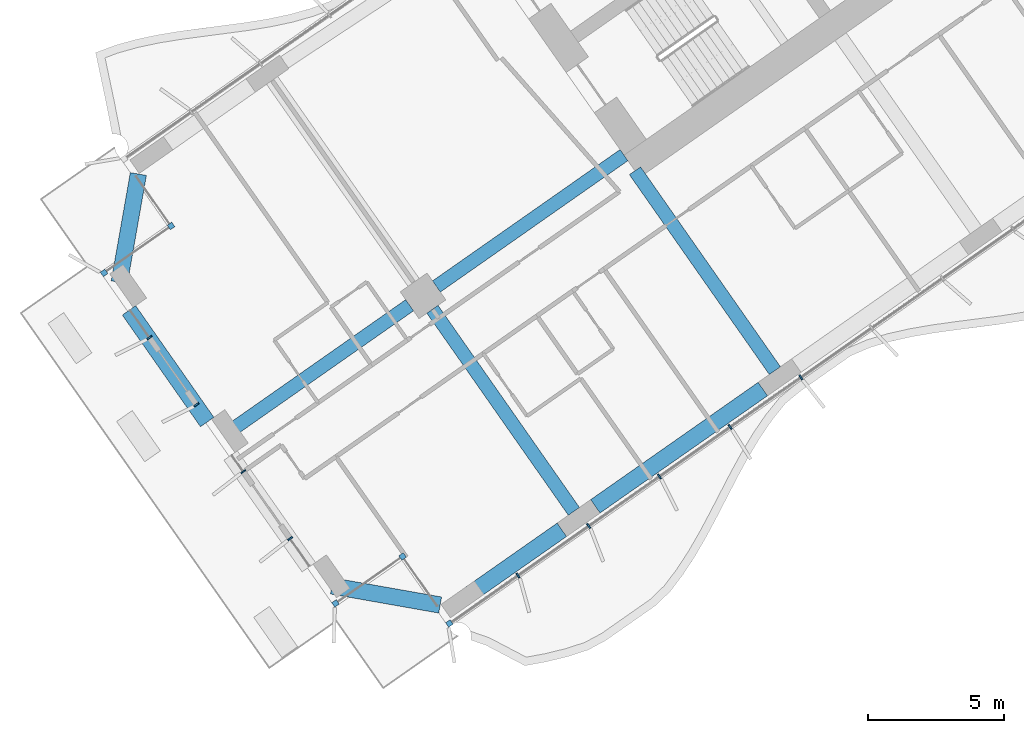
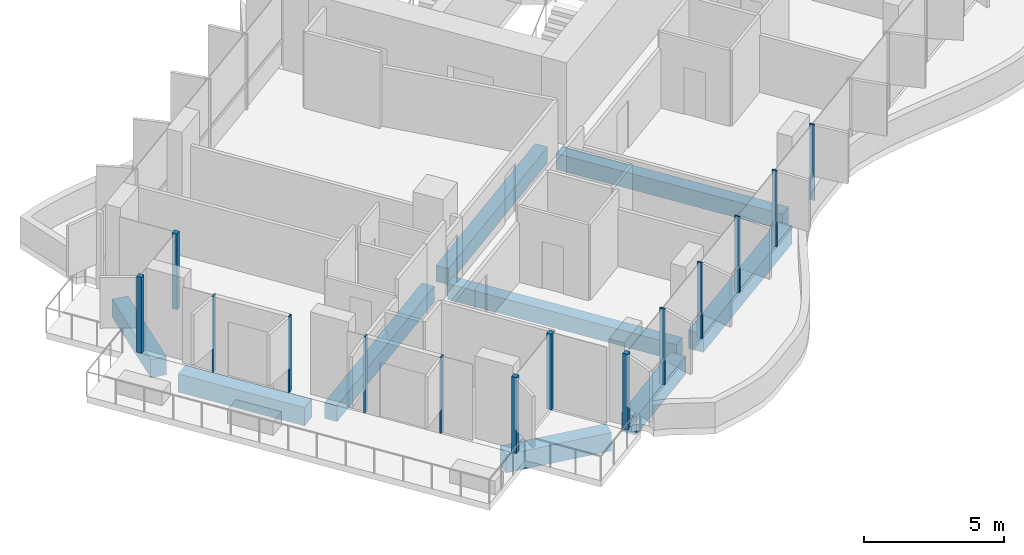
# One storey, part 2 of 25: 14 members, 9 beams, 5 elements without a shape of their own.
"""IFC4 building model written with IfcOpenShell, lengths in metres."""

from ifc_helpers import new_model, si_unit, direction, frame, origin, origin_2d, place, context, subcontext, project, spatial, rectangle, extrude, material, material_profile, profile_set, type_object, element, aggregate, save


model = new_model("IFC4")

# Units and contexts
model_context = context("Model", 3, precision=1e-05, world=origin(), true_north=direction((0.0, 1.0)))
body_context = subcontext(model_context, "Body", "Model", "MODEL_VIEW")
ifc_project = project(units=[si_unit("LENGTHUNIT", "METRE"), si_unit("AREAUNIT", "SQUARE_METRE"), si_unit("VOLUMEUNIT", "CUBIC_METRE"), si_unit("PLANEANGLEUNIT", "RADIAN"), si_unit("MASSUNIT", "GRAM", prefix="KILO")], contexts=[model_context])

# Site, building, storey
site_placement = place(None, origin())
site = spatial("IfcSite", under=ifc_project, at=site_placement, CompositionType="ELEMENT")
building_placement = place(site_placement, origin())
building = spatial("IfcBuilding", under=site, at=building_placement, Name="Tel Ilan Convention Tower", CompositionType="ELEMENT")
storey_placement = place(building_placement, frame((0.0, 0.0, 97.699951171875)))
storey = spatial("IfcBuildingStorey", under=building, at=storey_placement, Name="L20", CompositionType="ELEMENT", Elevation=97.699951171875)

# Beams
ifc_material_1 = material(Name="Concrete C40/50", Category="concrete")
ifc_material_profile_1 = material_profile(ifc_material_1, rectangle(XDim=0.5, YDim=0.699951171875, at=origin_2d()), Name="RC 500x700")
ifc_profile_set_1 = profile_set([ifc_material_profile_1], Name="Concrete C40/50")
beam_type_1 = type_object("IfcBeamType", Name="Beam RC 500x700 Concrete C40/50", PredefinedType="BEAM", material=ifc_profile_set_1)
beam_1_placement = place(storey_placement, frame((-16.58203125, -23.391357421875, -0.6298828125), z_axis=(-0.573584999642, 0.819146048141, 0.0), x_axis=(-0.819146048141, -0.573584999642, 0.0)))
element("IfcBeam", 1, at=beam_1_placement, inside=storey, type_object=beam_type_1, Name="L20 beam W-W-F3-core", PredefinedType="BEAM", context=body_context, shape_type="SweptSolid", body=[
    extrude(rectangle(XDim=0.5, YDim=0.699951171875, at=origin_2d()), origin(), (0.0, 0.0, 1.0), 8.949951171875),
])
beam_2_placement = place(storey_placement, frame((-22.1171875, -15.486572265625, -0.6298828125), z_axis=(-0.819147254605, -0.573583276668, 0.0), x_axis=(0.573583276668, -0.819147254605, 0.0)))
element("IfcBeam", 2, at=beam_2_placement, inside=storey, type_object=beam_type_1, Name="L20 beam W-core-W-M4", PredefinedType="BEAM", context=body_context, shape_type="SweptSolid", body=[
    extrude(rectangle(XDim=0.5, YDim=0.699951171875, at=origin_2d()), origin(), (0.0, 0.0, 1.0), 8.400146484375),
])
beam_3_placement = place(storey_placement, frame((-29.98095703125, -20.992919921875, -0.6298828125), z_axis=(-0.819147002204, -0.573583637128, 0.0), x_axis=(0.573583637128, -0.819147002204, 0.0)))
element("IfcBeam", 3, at=beam_3_placement, inside=storey, type_object=beam_type_1, Name="L20 beam W-W-M4-end", PredefinedType="BEAM", context=body_context, shape_type="SweptSolid", body=[
    extrude(rectangle(XDim=0.5, YDim=0.699951171875, at=origin_2d()), origin(), (0.0, 0.0, 1.0), 8.239990234375),
])
beam_4_placement = place(storey_placement, frame((-29.145263671875, -21.14013671875, -0.6298828125), z_axis=(0.573549245583, -0.819171082798, 0.0), x_axis=(0.819171082798, 0.573549245583, 0.0)))
element("IfcBeam", 4, at=beam_4_placement, inside=storey, type_object=beam_type_1, Name="L20 beam W-W-M4-W-F4", PredefinedType="BEAM", context=body_context, shape_type="SweptSolid", body=[
    extrude(rectangle(XDim=0.5, YDim=0.699951171875, at=origin_2d()), origin(), (0.0, 0.0, 1.0), 9.050048828125),
])
ifc_material_2 = material(Name="Concrete C40/50", Category="concrete")
ifc_material_profile_2 = material_profile(ifc_material_2, rectangle(XDim=0.60009765625, YDim=0.800048828125, at=origin_2d()), Name="RC 600x800")
ifc_profile_set_2 = profile_set([ifc_material_profile_2], Name="Concrete C40/50")
beam_type_2 = type_object("IfcBeamType", Name="Beam RC 600x800 Concrete C40/50", PredefinedType="BEAM", material=ifc_profile_set_2)
beam_5_placement = place(storey_placement, frame((-17.0244140625, -24.0673828125, -0.679931640625), z_axis=(-0.81915238829, -0.573575945067, 0.0), x_axis=(0.573575945067, -0.81915238829, 0.0)))
element("IfcBeam", 5, at=beam_5_placement, inside=storey, type_object=beam_type_2, Name="L20 beam W-W-F3-W-F4", PredefinedType="BEAM", context=body_context, shape_type="SweptSolid", body=[
    extrude(rectangle(XDim=0.60009765625, YDim=0.800048828125, at=origin_2d()), origin(), (0.0, 0.0, 1.0), 7.5),
])
beam_6_placement = place(storey_placement, frame((-24.396728515625, -29.2294921875, -0.679931640625), z_axis=(-0.819158006169, -0.57356792181, 0.0), x_axis=(0.57356792181, -0.819158006169, 0.0)))
element("IfcBeam", 6, at=beam_6_placement, inside=storey, type_object=beam_type_2, Name="L20 beam W-W-F4-W-FC", PredefinedType="BEAM", context=body_context, shape_type="SweptSolid", body=[
    extrude(rectangle(XDim=0.60009765625, YDim=0.800048828125, at=origin_2d()), origin(), (0.0, 0.0, 1.0), 4.190185546875),
])
beam_7_placement = place(storey_placement, frame((-28.861083984375, -31.9892578125, -0.679931640625), z_axis=(-0.984806721117, 0.173654029734, 0.0), x_axis=(-0.173654029734, -0.984806721117, 0.0)))
element("IfcBeam", 7, at=beam_7_placement, inside=storey, type_object=beam_type_2, Name="L20 beam W-W-FC-W-E1", PredefinedType="BEAM", context=body_context, shape_type="SweptSolid", body=[
    extrude(rectangle(XDim=0.60009765625, YDim=0.800048828125, at=origin_2d()), origin(), (0.0, 0.0, 1.0), 4.03076171875),
])
beam_8_placement = place(storey_placement, frame((-37.40673828125, -25.27685546875, -0.679931640625), z_axis=(-0.573586866468, 0.819144740944, 0.0), x_axis=(-0.819144740944, -0.573586866468, 0.0)))
element("IfcBeam", 8, at=beam_8_placement, inside=storey, type_object=beam_type_2, Name="L20 beam W-W-E2-W-E3", PredefinedType="BEAM", context=body_context, shape_type="SweptSolid", body=[
    extrude(rectangle(XDim=0.60009765625, YDim=0.800048828125, at=origin_2d()), origin(), (0.0, 0.0, 1.0), 5.0),
])
beam_9_placement = place(storey_placement, frame((-40.631103515625, -20.14892578125, -0.679931640625), z_axis=(0.173664388751, 0.984804894423, 0.0), x_axis=(-0.984804894423, 0.173664388751, 0.0)))
element("IfcBeam", 9, at=beam_9_placement, inside=storey, type_object=beam_type_2, Name="L20 beam W-W-E3-W-BC", PredefinedType="BEAM", context=body_context, shape_type="SweptSolid", body=[
    extrude(rectangle(XDim=0.60009765625, YDim=0.800048828125, at=origin_2d()), origin(), (0.0, 0.0, 1.0), 4.030517578125),
])

# Curtain wall, members
ifc_material_3 = material(Name="Aluminium, bronze anodised", Category="aluminium")
curtain_wall_type = type_object("IfcCurtainWallType", Name="CW1 UNITISED CURTAIN WALL, HOTEL TINTED GLASS", PredefinedType="NOTDEFINED", material=ifc_material_3)
curtain_wall_1_placement = place(storey_placement, origin())
curtain_wall_1 = element("IfcCurtainWall", 10, at=curtain_wall_1_placement, inside=storey, type_object=curtain_wall_type, Name="Curtain wall CW1-18.02", PredefinedType="NOTDEFINED")
ifc_material_4 = material(Name="Aluminium, bronze anodised", Category="aluminium")
ifc_material_profile_3 = material_profile(ifc_material_4, rectangle(XDim=0.199951171875, YDim=0.199951171875, at=origin_2d()), Name="CW CORNER MULLION 200x200")
ifc_profile_set_3 = profile_set([ifc_material_profile_3], Name="Aluminium, bronze anodised")
member_type_1 = type_object("IfcMemberType", Name="CW CORNER MULLION 200x200", PredefinedType="MULLION", material=ifc_profile_set_3)
member_1_placement = place(storey_placement, frame((-38.730712890625, -18.0859375, 0.0), z_axis=(0.0, 0.0, 1.0), x_axis=(0.573576436351, -0.819152044289, 0.0)))
member_1 = element("IfcMember", 11, at=member_1_placement, type_object=member_type_1, Name="Corner mullion", PredefinedType="MULLION", context=body_context, shape_type="SweptSolid", body=[
    extrude(rectangle(XDim=0.199951171875, YDim=0.199951171875, at=origin_2d()), origin(), (0.0, 0.0, 1.0), 3.320068359375),
])
member_2_placement = place(storey_placement, frame((-41.188232421875, -19.806640625, 0.0), z_axis=(0.0, 0.0, 1.0), x_axis=(-0.819152044289, -0.573576436351, 0.0)))
member_2 = element("IfcMember", 12, at=member_2_placement, type_object=member_type_1, Name="Corner mullion", PredefinedType="MULLION", context=body_context, shape_type="SweptSolid", body=[
    extrude(rectangle(XDim=0.199951171875, YDim=0.199951171875, at=origin_2d()), origin(), (0.0, 0.0, 1.0), 3.320068359375),
])

curtain_wall_2_placement = place(storey_placement, origin())
curtain_wall_2 = element("IfcCurtainWall", 13, at=curtain_wall_2_placement, inside=storey, type_object=curtain_wall_type, Name="Curtain wall CW1-18.06", PredefinedType="NOTDEFINED")
member_3_placement = place(storey_placement, frame((-32.69921875, -31.929931640625, 0.0), z_axis=(0.0, 0.0, 1.0), x_axis=(0.573576436351, -0.819152044289, 0.0)))
member_3 = element("IfcMember", 14, at=member_3_placement, type_object=member_type_1, Name="Corner mullion", PredefinedType="MULLION", context=body_context, shape_type="SweptSolid", body=[
    extrude(rectangle(XDim=0.199951171875, YDim=0.199951171875, at=origin_2d()), origin(), (0.0, 0.0, 1.0), 3.320068359375),
])
member_4_placement = place(storey_placement, frame((-30.241943359375, -30.209228515625, 0.0), z_axis=(0.0, 0.0, 1.0), x_axis=(0.819152044289, 0.573576436351, 0.0)))
member_4 = element("IfcMember", 15, at=member_4_placement, type_object=member_type_1, Name="Corner mullion", PredefinedType="MULLION", context=body_context, shape_type="SweptSolid", body=[
    extrude(rectangle(XDim=0.199951171875, YDim=0.199951171875, at=origin_2d()), origin(), (0.0, 0.0, 1.0), 3.320068359375),
])
member_5_placement = place(storey_placement, frame((-28.52099609375, -32.666748046875, 0.0), z_axis=(0.0, 0.0, 1.0), x_axis=(0.573576436351, -0.819152044289, 0.0)))
member_5 = element("IfcMember", 16, at=member_5_placement, type_object=member_type_1, Name="Corner mullion", PredefinedType="MULLION", context=body_context, shape_type="SweptSolid", body=[
    extrude(rectangle(XDim=0.199951171875, YDim=0.199951171875, at=origin_2d()), origin(), (0.0, 0.0, 1.0), 3.320068359375),
])

# Member
ifc_material_5 = material(Name="Aluminium, bronze anodised", Category="aluminium")
ifc_material_profile_4 = material_profile(ifc_material_5, rectangle(XDim=0.06005859375, YDim=0.199951171875, at=origin_2d()), Name="CW MULLION 60x200")
ifc_profile_set_4 = profile_set([ifc_material_profile_4], Name="Aluminium, bronze anodised")
member_type_2 = type_object("IfcMemberType", Name="CW MULLION 60x200", PredefinedType="MULLION", material=ifc_profile_set_4)
member_6_placement = place(storey_placement, frame((-39.52490234375, -22.18212890625, 0.0), z_axis=(0.0, 0.0, 1.0), x_axis=(0.573576436351, -0.819152044289, 0.0)))
member_6 = element("IfcMember", 17, at=member_6_placement, type_object=member_type_2, Name="Mullion", PredefinedType="MULLION", context=body_context, shape_type="SweptSolid", body=[
    extrude(rectangle(XDim=0.06005859375, YDim=0.199951171875, at=origin_2d()), origin(), (0.0, 0.0, 1.0), 3.320068359375),
])

aggregate(curtain_wall_1, [member_1, member_2, member_6])

# Curtain wall, member
curtain_wall_3_placement = place(storey_placement, origin())
curtain_wall_3 = element("IfcCurtainWall", 18, at=curtain_wall_3_placement, inside=storey, type_object=curtain_wall_type, Name="Curtain wall CW1-18.03", PredefinedType="NOTDEFINED")
member_7_placement = place(storey_placement, frame((-37.80419921875, -24.6396484375, 0.0), z_axis=(0.0, 0.0, 1.0), x_axis=(0.573576436351, -0.819152044289, 0.0)))
member_7 = element("IfcMember", 19, at=member_7_placement, type_object=member_type_2, Name="Mullion", PredefinedType="MULLION", context=body_context, shape_type="SweptSolid", body=[
    extrude(rectangle(XDim=0.06005859375, YDim=0.199951171875, at=origin_2d()), origin(), (0.0, 0.0, 1.0), 3.320068359375),
])
aggregate(curtain_wall_3, [member_7])

curtain_wall_4_placement = place(storey_placement, origin())
curtain_wall_4 = element("IfcCurtainWall", 20, at=curtain_wall_4_placement, inside=storey, type_object=curtain_wall_type, Name="Curtain wall CW1-18.04", PredefinedType="NOTDEFINED")
member_8_placement = place(storey_placement, frame((-36.08349609375, -27.096923828125, 0.0), z_axis=(0.0, 0.0, 1.0), x_axis=(0.573576436351, -0.819152044289, 0.0)))
member_8 = element("IfcMember", 21, at=member_8_placement, type_object=member_type_2, Name="Mullion", PredefinedType="MULLION", context=body_context, shape_type="SweptSolid", body=[
    extrude(rectangle(XDim=0.06005859375, YDim=0.199951171875, at=origin_2d()), origin(), (0.0, 0.0, 1.0), 3.320068359375),
])
aggregate(curtain_wall_4, [member_8])

curtain_wall_5_placement = place(storey_placement, origin())
curtain_wall_5 = element("IfcCurtainWall", 22, at=curtain_wall_5_placement, inside=storey, type_object=curtain_wall_type, Name="Curtain wall CW1-18.05", PredefinedType="NOTDEFINED")
member_9_placement = place(storey_placement, frame((-34.362548828125, -29.554443359375, 0.0), z_axis=(0.0, 0.0, 1.0), x_axis=(0.573576436351, -0.819152044289, 0.0)))
member_9 = element("IfcMember", 23, at=member_9_placement, type_object=member_type_2, Name="Mullion", PredefinedType="MULLION", context=body_context, shape_type="SweptSolid", body=[
    extrude(rectangle(XDim=0.06005859375, YDim=0.199951171875, at=origin_2d()), origin(), (0.0, 0.0, 1.0), 3.320068359375),
])
aggregate(curtain_wall_5, [member_9])

# Member
member_10_placement = place(storey_placement, frame((-26.008056640625, -30.906982421875, 0.0), z_axis=(0.0, 0.0, 1.0), x_axis=(0.819152044289, 0.573576436351, 0.0)))
member_10 = element("IfcMember", 24, at=member_10_placement, type_object=member_type_2, Name="Mullion", PredefinedType="MULLION", context=body_context, shape_type="SweptSolid", body=[
    extrude(rectangle(XDim=0.06005859375, YDim=0.199951171875, at=origin_2d()), origin(), (0.0, 0.0, 1.0), 3.320068359375),
])

member_11_placement = place(storey_placement, frame((-23.412841796875, -29.08984375, 0.0), z_axis=(0.0, 0.0, 1.0), x_axis=(0.819152044289, 0.573576436351, 0.0)))
member_11 = element("IfcMember", 25, at=member_11_placement, type_object=member_type_2, Name="Mullion", PredefinedType="MULLION", context=body_context, shape_type="SweptSolid", body=[
    extrude(rectangle(XDim=0.06005859375, YDim=0.199951171875, at=origin_2d()), origin(), (0.0, 0.0, 1.0), 3.320068359375),
])

member_12_placement = place(storey_placement, frame((-20.81787109375, -27.27294921875, 0.0), z_axis=(0.0, 0.0, 1.0), x_axis=(0.819152044289, 0.573576436351, 0.0)))
member_12 = element("IfcMember", 26, at=member_12_placement, type_object=member_type_2, Name="Mullion", PredefinedType="MULLION", context=body_context, shape_type="SweptSolid", body=[
    extrude(rectangle(XDim=0.06005859375, YDim=0.199951171875, at=origin_2d()), origin(), (0.0, 0.0, 1.0), 3.320068359375),
])

member_13_placement = place(storey_placement, frame((-18.222900390625, -25.455810546875, 0.0), z_axis=(0.0, 0.0, 1.0), x_axis=(0.819152044289, 0.573576436351, 0.0)))
member_13 = element("IfcMember", 27, at=member_13_placement, type_object=member_type_2, Name="Mullion", PredefinedType="MULLION", context=body_context, shape_type="SweptSolid", body=[
    extrude(rectangle(XDim=0.06005859375, YDim=0.199951171875, at=origin_2d()), origin(), (0.0, 0.0, 1.0), 3.320068359375),
])

member_14_placement = place(storey_placement, frame((-15.627685546875, -23.638671875, 0.0), z_axis=(0.0, 0.0, 1.0), x_axis=(0.819152044289, 0.573576436351, 0.0)))
member_14 = element("IfcMember", 28, at=member_14_placement, type_object=member_type_2, Name="Mullion", PredefinedType="MULLION", context=body_context, shape_type="SweptSolid", body=[
    extrude(rectangle(XDim=0.06005859375, YDim=0.199951171875, at=origin_2d()), origin(), (0.0, 0.0, 1.0), 3.320068359375),
])

aggregate(curtain_wall_2, [member_3, member_4, member_5, member_10, member_11, member_12, member_13, member_14])

save(model, "model.ifc")
